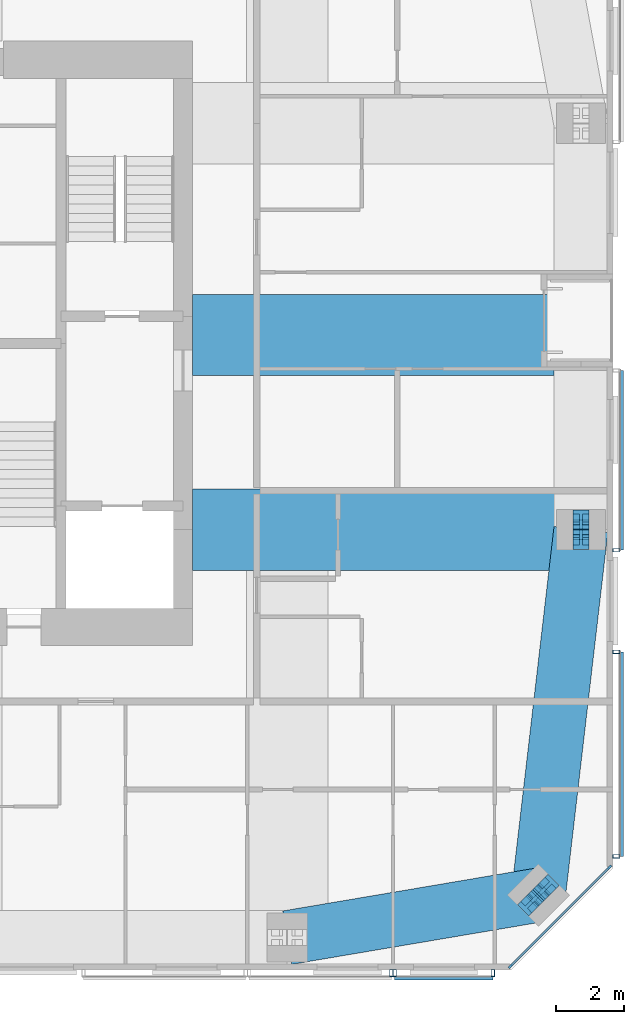
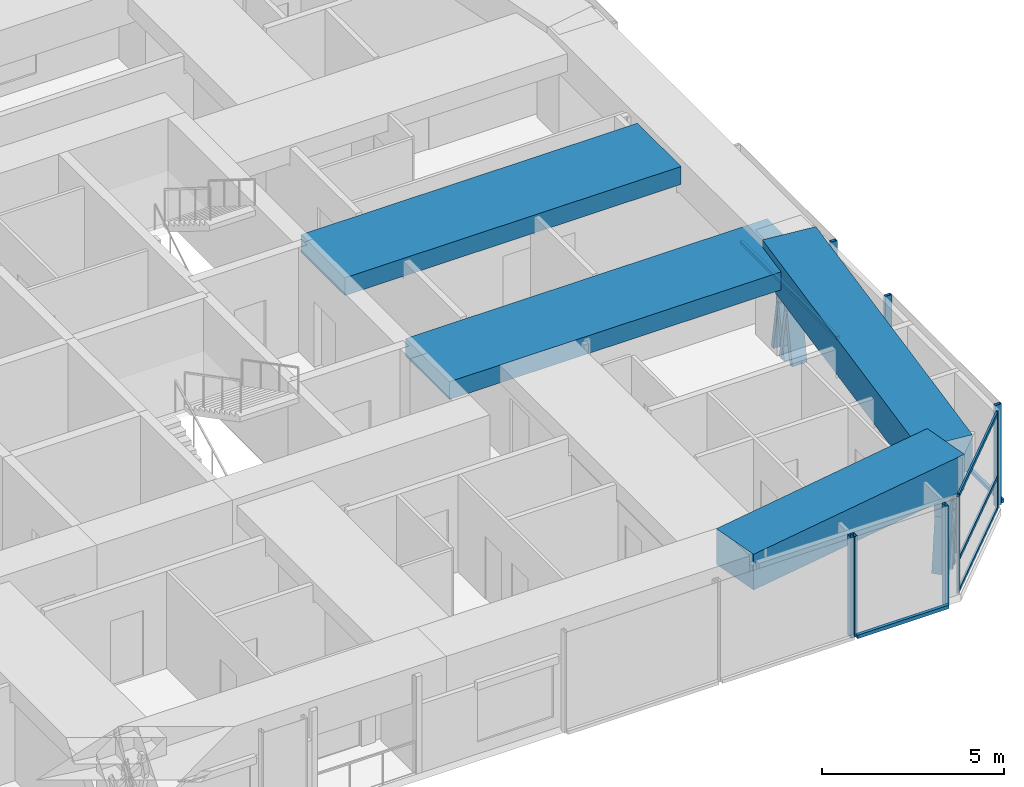
# One storey, part 8 of 20: 22 members, 4 beams, 5 elements without a shape of their own.
"""IFC4 building model written with IfcOpenShell, lengths in metres."""

from ifc_helpers import new_model, si_unit, direction, frame, origin, origin_2d, place, context, subcontext, project, spatial, rectangle, hollow_rectangle, i_section, extrude, material, material_profile, profile_set, type_object, element, aggregate, save


model = new_model("IFC4")

# Units and contexts
model_context = context("Model", 3, precision=1e-05, world=origin(), true_north=direction((0.0, 1.0)))
body_context = subcontext(model_context, "Body", "Model", "MODEL_VIEW")
ifc_project = project(units=[si_unit("LENGTHUNIT", "METRE"), si_unit("AREAUNIT", "SQUARE_METRE"), si_unit("VOLUMEUNIT", "CUBIC_METRE"), si_unit("PLANEANGLEUNIT", "RADIAN"), si_unit("MASSUNIT", "GRAM", prefix="KILO")], contexts=[model_context])

# Site, building, storey
site_placement = place(None, origin())
site = spatial("IfcSite", under=ifc_project, at=site_placement, CompositionType="ELEMENT")
building_placement = place(site_placement, origin())
building = spatial("IfcBuilding", under=site, at=building_placement, Name="Jalousie Tower", CompositionType="ELEMENT")
storey_placement = place(building_placement, frame((0.0, 0.0, 242.449951171875)))
storey = spatial("IfcBuildingStorey", under=building, at=storey_placement, Name="L66", CompositionType="ELEMENT", Elevation=242.449951171875)

# Curtain wall, members
ifc_material_1 = material(Name="Aluminium curtain wall", Category="aluminium")
curtain_wall_type_1 = type_object("IfcCurtainWallType", Name="CORNER WINDOW WALL", PredefinedType="USERDEFINED", material=ifc_material_1)
curtain_wall_1_placement = place(storey_placement, origin())
curtain_wall_1 = element("IfcCurtainWall", 1, at=curtain_wall_1_placement, inside=storey, type_object=curtain_wall_type_1, Name="Corner Window Wall L66 2", ObjectType="CORNER WINDOW WALL", PredefinedType="USERDEFINED")
ifc_material_2 = material(Name="Aluminium mullion", Category="aluminium")
ifc_material_profile_1 = material_profile(ifc_material_2, rectangle(XDim=0.06005859375, YDim=0.14990234375, at=origin_2d()), Name="MULLION 60x150")
ifc_profile_set_1 = profile_set([ifc_material_profile_1], Name="Aluminium mullion")
member_type_1 = type_object("IfcMemberType", Name="CORNER WINDOW WALL MULLION", PredefinedType="MULLION", material=ifc_profile_set_1)
member_1_placement = place(storey_placement, frame((53.469970703125, 0.108642578125, 0.0), z_axis=(0.0, 0.0, 1.0), x_axis=(-0.707106781187, 0.707106781187, 0.0)))
member_1 = element("IfcMember", 2, at=member_1_placement, type_object=member_type_1, Name="CW-C mullion 1", PredefinedType="MULLION", context=body_context, shape_type="SweptSolid", body=[
    extrude(rectangle(XDim=0.06005859375, YDim=0.14990234375, at=origin_2d()), origin(), (0.0, 0.0, 1.0), 3.260009765625),
])
member_2_placement = place(storey_placement, frame((56.391357421875, 3.030029296875, 0.0), z_axis=(0.0, 0.0, 1.0), x_axis=(-0.707106781187, 0.707106781187, 0.0)))
member_2 = element("IfcMember", 3, at=member_2_placement, type_object=member_type_1, Name="CW-C mullion 2", PredefinedType="MULLION", context=body_context, shape_type="SweptSolid", body=[
    extrude(rectangle(XDim=0.06005859375, YDim=0.14990234375, at=origin_2d()), origin(), (0.0, 0.0, 1.0), 3.260009765625),
])
ifc_material_3 = material(Name="Aluminium transom", Category="aluminium")
ifc_material_profile_2 = material_profile(ifc_material_3, rectangle(XDim=0.06005859375, YDim=0.1201171875, at=origin_2d()), Name="TRANSOM 60x120")
ifc_profile_set_2 = profile_set([ifc_material_profile_2], Name="Aluminium transom")
member_type_2 = type_object("IfcMemberType", Name="CORNER WINDOW WALL TRANSOM", PredefinedType="USERDEFINED", material=ifc_profile_set_2)
member_3_placement = place(storey_placement, frame((53.4912109375, 0.1298828125, 0.030029296875), z_axis=(0.707106781187, 0.707106781187, 0.0), x_axis=(-0.707106781187, 0.707106781187, 0.0)))
member_3 = element("IfcMember", 4, at=member_3_placement, type_object=member_type_2, Name="CW-C transom 1.1", ObjectType="TRANSOM", PredefinedType="USERDEFINED", context=body_context, shape_type="SweptSolid", body=[
    extrude(rectangle(XDim=0.06005859375, YDim=0.1201171875, at=origin_2d()), origin(), (0.0, 0.0, 1.0), 4.0712890625),
])
member_4_placement = place(storey_placement, frame((53.4912109375, 0.1298828125, 1.10009765625), z_axis=(0.707106781187, 0.707106781187, 0.0), x_axis=(-0.707106781187, 0.707106781187, 0.0)))
member_4 = element("IfcMember", 5, at=member_4_placement, type_object=member_type_2, Name="CW-C transom 1.2", ObjectType="TRANSOM", PredefinedType="USERDEFINED", context=body_context, shape_type="SweptSolid", body=[
    extrude(rectangle(XDim=0.06005859375, YDim=0.1201171875, at=origin_2d()), origin(), (0.0, 0.0, 1.0), 4.0712890625),
])
member_5_placement = place(storey_placement, frame((53.4912109375, 0.1298828125, 3.22998046875), z_axis=(0.707106781187, 0.707106781187, 0.0), x_axis=(-0.707106781187, 0.707106781187, 0.0)))
member_5 = element("IfcMember", 6, at=member_5_placement, type_object=member_type_2, Name="CW-C transom 1.3", ObjectType="TRANSOM", PredefinedType="USERDEFINED", context=body_context, shape_type="SweptSolid", body=[
    extrude(rectangle(XDim=0.06005859375, YDim=0.1201171875, at=origin_2d()), origin(), (0.0, 0.0, 1.0), 4.0712890625),
])
aggregate(curtain_wall_1, [member_1, member_2, member_3, member_4, member_5])

# Members
ifc_material_4 = material(Name="Steel ASTM A992 Grade 50", Category="steel")
ifc_material_profile_3 = material_profile(ifc_material_4, i_section(OverallWidth=0.472412109375, OverallDepth=0.5791015625, WebThickness=0.094970703125, FlangeThickness=0.1298828125, at=origin_2d()), Name="W14X808")
ifc_profile_set_3 = profile_set([ifc_material_profile_3], Name="Steel ASTM A992 Grade 50")
member_type_3 = type_object("IfcMemberType", Name="PERIMETER BRACE W14X808", PredefinedType="BRACE", material=ifc_profile_set_3)
for number, where, z_axis, x_axis, name in (
    (7, (54.04541015625, 1.959716796875, -0.599853515625), (0.138716051522, 0.138579250682, 0.980588419435), (-0.706757851183, 0.707455539091, 0.0), "Perimeter brace 05 L66 part 1"),
    (8, (54.29296875, 2.20703125, 1.150146484375), (0.138579250682, 0.138716051522, 0.980588419435), (-0.707455539091, 0.706757851183, 0.0), "Perimeter brace 05 L66 part 2"),
    (9, (54.540283203125, 2.45458984375, -0.599853515625), (-0.138579250682, -0.138716051522, 0.980588419435), (0.707455539091, -0.706757851183, 0.0), "Perimeter brace 05 L66 part 3"),
    (10, (54.29296875, 2.20703125, 1.150146484375), (-0.138716051522, -0.138579250682, 0.980588419435), (0.706757851183, -0.707455539091, 0.0), "Perimeter brace 05 L66 part 4"),
):
    element("IfcMember", number, at=place(storey_placement, frame(where, z_axis=z_axis, x_axis=x_axis)), inside=storey, type_object=member_type_3, Name=name, PredefinedType="BRACE", context=body_context, shape_type="SweptSolid", body=[
        extrude(i_section(OverallWidth=0.472412109375, OverallDepth=0.5791015625, WebThickness=0.094970703125, FlangeThickness=0.1298828125, at=origin_2d()), origin(), (0.0, 0.0, 1.0), 1.78466796875),
    ])
for number, where, z_axis, x_axis, name in (
    (11, (55.550048828125, 12.699951171875, -0.599853515625), (0.0, 0.168990530437, 0.98561767467), (-1.0, 0.0, 0.0), "Perimeter brace 06 L66 part 1"),
    (12, (55.550048828125, 13.0, 1.150146484375), (0.0, 0.168990530437, 0.98561767467), (-1.0, 0.0, 0.0), "Perimeter brace 06 L66 part 2"),
    (13, (55.550048828125, 13.300048828125, -0.599853515625), (0.0, -0.168990530437, 0.98561767467), (1.0, 0.0, 0.0), "Perimeter brace 06 L66 part 3"),
    (14, (55.550048828125, 13.0, 1.150146484375), (0.0, -0.168990530437, 0.98561767467), (1.0, 0.0, 0.0), "Perimeter brace 06 L66 part 4"),
):
    element("IfcMember", number, at=place(storey_placement, frame(where, z_axis=z_axis, x_axis=x_axis)), inside=storey, type_object=member_type_3, Name=name, PredefinedType="BRACE", context=body_context, shape_type="SweptSolid", body=[
        extrude(i_section(OverallWidth=0.472412109375, OverallDepth=0.5791015625, WebThickness=0.094970703125, FlangeThickness=0.1298828125, at=origin_2d()), origin(), (0.0, 0.0, 1.0), 1.775634765625),
    ])

# Beams
ifc_material_5 = material(Name="Concrete f'c 40 MPa", Category="concrete")
ifc_material_profile_4 = material_profile(ifc_material_5, rectangle(XDim=1.60009765625, YDim=1.199951171875, at=origin_2d()), Name="RC 1600x1200")
ifc_profile_set_4 = profile_set([ifc_material_profile_4], Name="Concrete f'c 40 MPa")
beam_type_1 = type_object("IfcBeamType", Name="RC BEAM 1600x1200", PredefinedType="BEAM", material=ifc_profile_set_4)
beam_1_placement = place(storey_placement, frame((46.875, 0.949951171875, 2.900146484375), z_axis=(0.985942997446, 0.167082033105, 0.0), x_axis=(-0.167082033105, 0.985942997446, 0.0)))
element("IfcBeam", 15, at=beam_1_placement, inside=storey, type_object=beam_type_1, Name="Edge band beam 04-05 under L67", PredefinedType="BEAM", context=body_context, shape_type="SweptSolid", body=[
    extrude(rectangle(XDim=1.60009765625, YDim=1.199951171875, at=origin_2d()), origin(), (0.0, 0.0, 1.0), 7.523681640625),
])
beam_2_placement = place(storey_placement, frame((54.29296875, 2.20703125, 2.900146484375), z_axis=(0.115690063472, 0.993285361421, 0.0), x_axis=(-0.993285361421, 0.115690063472, 0.0)))
element("IfcBeam", 16, at=beam_2_placement, inside=storey, type_object=beam_type_1, Name="Edge band beam 05-06 under L67", PredefinedType="BEAM", context=body_context, shape_type="SweptSolid", body=[
    extrude(rectangle(XDim=1.60009765625, YDim=1.199951171875, at=origin_2d()), origin(), (0.0, 0.0, 1.0), 10.865966796875),
])
ifc_material_6 = material(Name="Concrete f'c 40 MPa", Category="concrete")
ifc_material_profile_5 = material_profile(ifc_material_6, rectangle(XDim=2.39990234375, YDim=0.60009765625, at=origin_2d()), Name="RC 2400x600")
ifc_profile_set_5 = profile_set([ifc_material_profile_5], Name="Concrete f'c 40 MPa")
beam_type_2 = type_object("IfcBeamType", Name="RC BEAM 2400x600", PredefinedType="BEAM", material=ifc_profile_set_5)
beam_3_placement = place(storey_placement, frame((55.550048828125, 13.0, 2.9599609375), z_axis=(-1.0, 0.0, 0.0), x_axis=(0.0, -1.0, 0.0)))
element("IfcBeam", 17, at=beam_3_placement, inside=storey, type_object=beam_type_2, Name="Floor band beam under L67", PredefinedType="BEAM", context=body_context, shape_type="SweptSolid", body=[
    extrude(rectangle(XDim=2.39990234375, YDim=0.60009765625, at=origin_2d()), origin(), (0.0, 0.0, 1.0), 11.47509765625),
])
beam_4_placement = place(storey_placement, frame((44.074951171875, 18.75, 2.9599609375), z_axis=(1.0, 0.0, 0.0), x_axis=(0.0, 1.0, 0.0)))
element("IfcBeam", 18, at=beam_4_placement, inside=storey, type_object=beam_type_2, Name="Floor band beam under L67", PredefinedType="BEAM", context=body_context, shape_type="SweptSolid", body=[
    extrude(rectangle(XDim=2.39990234375, YDim=0.60009765625, at=origin_2d()), origin(), (0.0, 0.0, 1.0), 10.675048828125),
])

# Curtain wall, member
ifc_material_7 = material(Name="Perforated aluminium sheet", Category="aluminium")
curtain_wall_type_2 = type_object("IfcCurtainWallType", Name="SOLAR SCREEN SS-2", PredefinedType="USERDEFINED", material=ifc_material_7)
curtain_wall_2_placement = place(storey_placement, origin())
curtain_wall_2 = element("IfcCurtainWall", 19, at=curtain_wall_2_placement, inside=storey, type_object=curtain_wall_type_2, Name="Solar screen L66", ObjectType="SOLAR SCREEN SS-2", PredefinedType="USERDEFINED")
ifc_material_8 = material(Name="Steel ASTM A500 Grade C", Category="steel")
ifc_material_profile_6 = material_profile(ifc_material_8, hollow_rectangle(XDim=0.1015625, YDim=0.203125, WallThickness=0.0078125, at=origin_2d()), Name="HSS8X4X5/16")
ifc_profile_set_6 = profile_set([ifc_material_profile_6], Name="Steel ASTM A500 Grade C")
member_type_4 = type_object("IfcMemberType", Name="SOLAR SCREEN SS-2 MULLION", PredefinedType="MULLION", material=ifc_profile_set_6)
member_6_placement = place(storey_placement, frame((49.949951171875, -0.0966796875, -0.119873046875), z_axis=(0.0, 0.0, 1.0), x_axis=(1.0, 0.0, 0.0)))
member_6 = element("IfcMember", 20, at=member_6_placement, type_object=member_type_4, Name="SS2 post 2", PredefinedType="MULLION", context=body_context, shape_type="SweptSolid", body=[
    extrude(hollow_rectangle(XDim=0.1015625, YDim=0.203125, WallThickness=0.0078125, at=origin_2d()), origin(), (0.0, 0.0, 1.0), 3.3798828125),
])
aggregate(curtain_wall_2, [member_6])

# Curtain wall, members
curtain_wall_3_placement = place(storey_placement, origin())
curtain_wall_3 = element("IfcCurtainWall", 21, at=curtain_wall_3_placement, inside=storey, type_object=curtain_wall_type_2, Name="Solar screen L66", ObjectType="SOLAR SCREEN SS-2", PredefinedType="USERDEFINED")
member_7_placement = place(storey_placement, frame((50.050048828125, -0.0966796875, -0.119873046875), z_axis=(0.0, 0.0, 1.0), x_axis=(1.0, 0.0, 0.0)))
member_7 = element("IfcMember", 22, at=member_7_placement, type_object=member_type_4, Name="SS2 post 1", PredefinedType="MULLION", context=body_context, shape_type="SweptSolid", body=[
    extrude(hollow_rectangle(XDim=0.1015625, YDim=0.203125, WallThickness=0.0078125, at=origin_2d()), origin(), (0.0, 0.0, 1.0), 3.3798828125),
])
member_8_placement = place(storey_placement, frame((52.949951171875, -0.0966796875, -0.119873046875), z_axis=(0.0, 0.0, 1.0), x_axis=(1.0, 0.0, 0.0)))
member_8 = element("IfcMember", 23, at=member_8_placement, type_object=member_type_4, Name="SS2 post 2", PredefinedType="MULLION", context=body_context, shape_type="SweptSolid", body=[
    extrude(hollow_rectangle(XDim=0.1015625, YDim=0.203125, WallThickness=0.0078125, at=origin_2d()), origin(), (0.0, 0.0, 1.0), 3.3798828125),
])

curtain_wall_4_placement = place(storey_placement, origin())
curtain_wall_4 = element("IfcCurtainWall", 24, at=curtain_wall_4_placement, inside=storey, type_object=curtain_wall_type_2, Name="Solar screen L66", ObjectType="SOLAR SCREEN SS-2", PredefinedType="USERDEFINED")
member_9_placement = place(storey_placement, frame((56.5966796875, 3.351318359375, -0.119873046875), z_axis=(0.0, 0.0, 1.0), x_axis=(0.0, 1.0, 0.0)))
member_9 = element("IfcMember", 25, at=member_9_placement, type_object=member_type_4, Name="SS2 post 1", PredefinedType="MULLION", context=body_context, shape_type="SweptSolid", body=[
    extrude(hollow_rectangle(XDim=0.1015625, YDim=0.203125, WallThickness=0.0078125, at=origin_2d()), origin(), (0.0, 0.0, 1.0), 3.3798828125),
])
member_10_placement = place(storey_placement, frame((56.5966796875, 9.391357421875, -0.119873046875), z_axis=(0.0, 0.0, 1.0), x_axis=(0.0, 1.0, 0.0)))
member_10 = element("IfcMember", 26, at=member_10_placement, type_object=member_type_4, Name="SS2 post 2", PredefinedType="MULLION", context=body_context, shape_type="SweptSolid", body=[
    extrude(hollow_rectangle(XDim=0.1015625, YDim=0.203125, WallThickness=0.0078125, at=origin_2d()), origin(), (0.0, 0.0, 1.0), 3.3798828125),
])

# Curtain wall, member
curtain_wall_5_placement = place(storey_placement, origin())
curtain_wall_5 = element("IfcCurtainWall", 27, at=curtain_wall_5_placement, inside=storey, type_object=curtain_wall_type_2, Name="Solar screen L66", ObjectType="SOLAR SCREEN SS-2", PredefinedType="USERDEFINED")
member_11_placement = place(storey_placement, frame((56.5966796875, 12.391357421875, -0.119873046875), z_axis=(0.0, 0.0, 1.0), x_axis=(0.0, 1.0, 0.0)))
member_11 = element("IfcMember", 28, at=member_11_placement, type_object=member_type_4, Name="SS2 post 1", PredefinedType="MULLION", context=body_context, shape_type="SweptSolid", body=[
    extrude(hollow_rectangle(XDim=0.1015625, YDim=0.203125, WallThickness=0.0078125, at=origin_2d()), origin(), (0.0, 0.0, 1.0), 3.3798828125),
])

# Member
ifc_material_9 = material(Name="Extruded aluminium screen rail", Category="aluminium")
ifc_material_profile_7 = material_profile(ifc_material_9, rectangle(XDim=0.1015625, YDim=0.1201171875, at=origin_2d()), Name="RAIL 102x120")
ifc_profile_set_7 = profile_set([ifc_material_profile_7], Name="Extruded aluminium screen rail")
member_type_5 = type_object("IfcMemberType", Name="SOLAR SCREEN SS-2 TRANSOM", PredefinedType="USERDEFINED", material=ifc_profile_set_7)
member_12_placement = place(storey_placement, frame((50.050048828125, -0.2490234375, -0.06005859375), z_axis=(1.0, 0.0, 0.0), x_axis=(0.0, 1.0, 0.0)))
member_12 = element("IfcMember", 29, at=member_12_placement, type_object=member_type_5, Name="SS2 rail", ObjectType="TRANSOM", PredefinedType="USERDEFINED", context=body_context, shape_type="SweptSolid", body=[
    extrude(rectangle(XDim=0.1015625, YDim=0.1201171875, at=origin_2d()), origin(), (0.0, 0.0, 1.0), 2.89990234375),
])

aggregate(curtain_wall_3, [member_7, member_8, member_12])

member_13_placement = place(storey_placement, frame((56.7490234375, 3.351318359375, -0.06005859375), z_axis=(0.0, 1.0, 0.0), x_axis=(-1.0, 0.0, 0.0)))
member_13 = element("IfcMember", 30, at=member_13_placement, type_object=member_type_5, Name="SS2 rail", ObjectType="TRANSOM", PredefinedType="USERDEFINED", context=body_context, shape_type="SweptSolid", body=[
    extrude(rectangle(XDim=0.1015625, YDim=0.1201171875, at=origin_2d()), origin(), (0.0, 0.0, 1.0), 6.0400390625),
])

aggregate(curtain_wall_4, [member_9, member_10, member_13])

member_14_placement = place(storey_placement, frame((56.7490234375, 12.391357421875, -0.06005859375), z_axis=(0.0, 1.0, 0.0), x_axis=(-1.0, 0.0, 0.0)))
member_14 = element("IfcMember", 31, at=member_14_placement, type_object=member_type_5, Name="SS2 rail", ObjectType="TRANSOM", PredefinedType="USERDEFINED", context=body_context, shape_type="SweptSolid", body=[
    extrude(rectangle(XDim=0.1015625, YDim=0.1201171875, at=origin_2d()), origin(), (0.0, 0.0, 1.0), 5.30859375),
])

aggregate(curtain_wall_5, [member_11, member_14])

save(model, "model.ifc")
